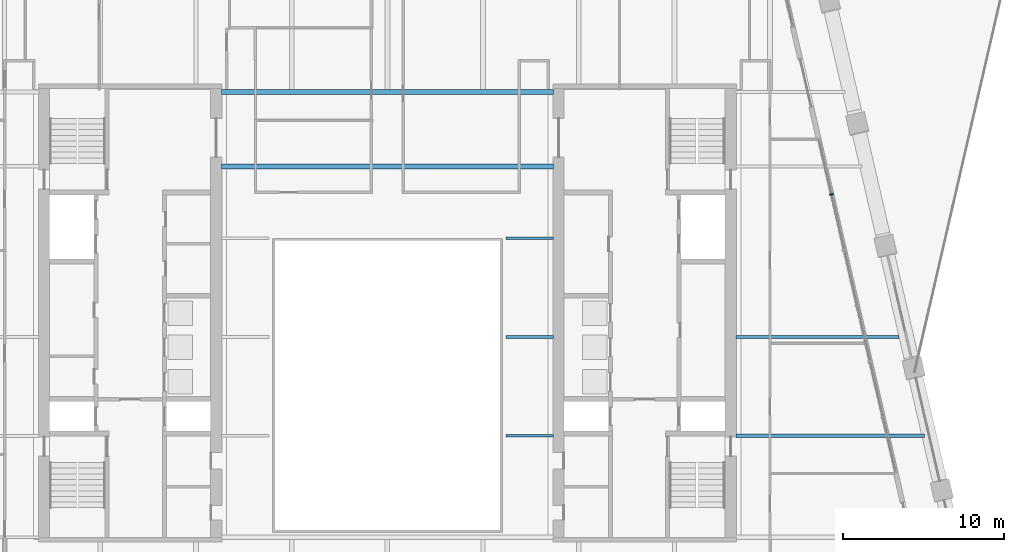
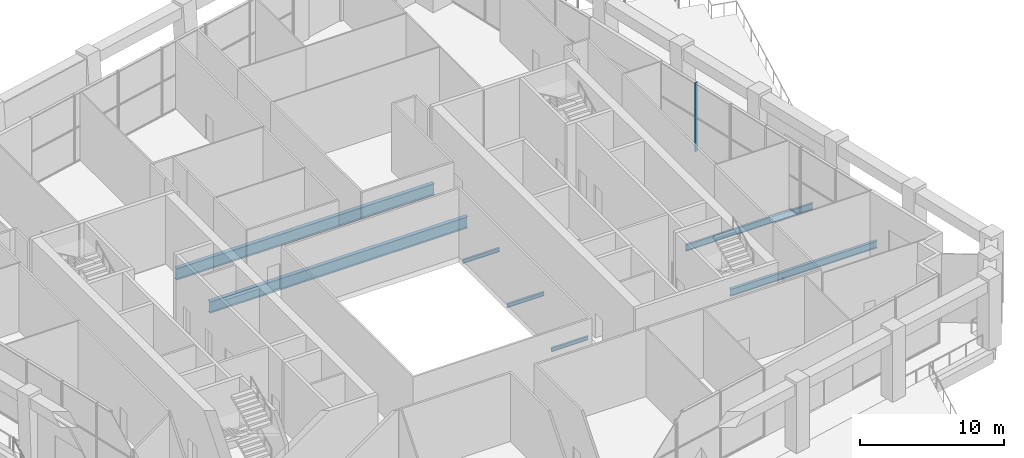
# One storey, part 5 of 24: 7 beams, 1 member, 1 element without a shape of its own.
"""IFC4 building model written with IfcOpenShell, lengths in metres."""

from ifc_helpers import new_model, si_unit, direction, frame, origin, origin_2d, place, context, subcontext, project, spatial, rectangle, i_section, extrude, material, material_profile, profile_set, type_object, element, aggregate, save


model = new_model("IFC4")

# Units and contexts
model_context = context("Model", 3, precision=1e-05, world=origin(), true_north=direction((0.0, 1.0)))
body_context = subcontext(model_context, "Body", "Model", "MODEL_VIEW")
ifc_project = project(units=[si_unit("LENGTHUNIT", "METRE"), si_unit("AREAUNIT", "SQUARE_METRE"), si_unit("VOLUMEUNIT", "CUBIC_METRE"), si_unit("PLANEANGLEUNIT", "RADIAN"), si_unit("MASSUNIT", "GRAM", prefix="KILO")], contexts=[model_context])

# Site, building, storey
site_placement = place(None, origin())
site = spatial("IfcSite", under=ifc_project, at=site_placement, CompositionType="ELEMENT")
building_placement = place(site_placement, origin())
building = spatial("IfcBuilding", under=site, at=building_placement, Name="Ogive Exchange Tower", CompositionType="ELEMENT")
storey_placement = place(building_placement, frame((0.0, 0.0, 165.60009765625)))
storey = spatial("IfcBuildingStorey", under=building, at=storey_placement, Name="L36", CompositionType="ELEMENT", Elevation=165.60009765625)

# Beams
ifc_material_1 = material(Name="Steel ASTM A992 Gr50", Category="steel")
ifc_material_profile_1 = material_profile(ifc_material_1, i_section(OverallWidth=0.300048828125, OverallDepth=0.97998046875, WebThickness=0.0166015625, FlangeThickness=0.026123046875, at=origin_2d()), Name="W1000x249")
ifc_profile_set_1 = profile_set([ifc_material_profile_1], Name="Steel ASTM A992 Gr50")
beam_type_1 = type_object("IfcBeamType", Name="Floor beam W1000x249", PredefinedType="JOIST", material=ifc_profile_set_1)
beam_1_placement = place(storey_placement, frame((-10.320068359375, 20.62255859375, -0.940185546875), z_axis=(1.0, 0.0, 0.0), x_axis=(0.0, 1.0, 0.0)))
element("IfcBeam", 1, at=beam_1_placement, inside=storey, type_object=beam_type_1, Name="Floor beam", PredefinedType="JOIST", context=body_context, shape_type="SweptSolid", body=[
    extrude(i_section(OverallWidth=0.300048828125, OverallDepth=0.97998046875, WebThickness=0.0166015625, FlangeThickness=0.026123046875, at=origin_2d()), origin(), (0.0, 0.0, 1.0), 20.64013671875),
])
ifc_material_profile_2 = material_profile(ifc_material_1, i_section(OverallWidth=0.1650390625, OverallDepth=0.31005859375, WebThickness=0.005859375, FlangeThickness=0.009765625, at=origin_2d()), Name="W310x38.7")
ifc_profile_set_2 = profile_set([ifc_material_profile_2], Name="Steel ASTM A992 Gr50")
beam_type_2 = type_object("IfcBeamType", Name="Floor beam W310x38.7", PredefinedType="JOIST", material=ifc_profile_set_2)
for number, where, z_axis, x_axis, name in (
    (2, (7.3701171875, 3.8583984375, -0.60498046875), (1.0, 0.0, 0.0), (0.0, 1.0, 0.0), "Floor beam"),
    (3, (7.3701171875, 10.006591796875, -0.60498046875), (1.0, 0.0, 0.0), (0.0, 1.0, 0.0), "Floor beam"),
):
    element("IfcBeam", number, at=place(storey_placement, frame(where, z_axis=z_axis, x_axis=x_axis)), inside=storey, type_object=beam_type_2, Name=name, PredefinedType="JOIST", context=body_context, shape_type="SweptSolid", body=[
        extrude(i_section(OverallWidth=0.1650390625, OverallDepth=0.31005859375, WebThickness=0.005859375, FlangeThickness=0.009765625, at=origin_2d()), origin(), (0.0, 0.0, 1.0), 2.949951171875),
    ])
ifc_material_profile_3 = material_profile(ifc_material_1, i_section(OverallWidth=0.1669921875, OverallDepth=0.535888671875, WebThickness=0.01025390625, FlangeThickness=0.0166015625, at=origin_2d()), Name="W530x85")
ifc_profile_set_3 = profile_set([ifc_material_profile_3], Name="Steel ASTM A992 Gr50")
beam_type_3 = type_object("IfcBeamType", Name="Floor beam W530x85", PredefinedType="JOIST", material=ifc_profile_set_3)
beam_2_placement = place(storey_placement, frame((21.679931640625, 10.006591796875, -0.718017578125), z_axis=(1.0, 0.0, 0.0), x_axis=(0.0, 1.0, 0.0)))
element("IfcBeam", 4, at=beam_2_placement, inside=storey, type_object=beam_type_3, Name="Floor beam", PredefinedType="JOIST", context=body_context, shape_type="SweptSolid", body=[
    extrude(i_section(OverallWidth=0.1669921875, OverallDepth=0.535888671875, WebThickness=0.01025390625, FlangeThickness=0.0166015625, at=origin_2d()), origin(), (0.0, 0.0, 1.0), 10.146728515625),
])
ifc_material_profile_4 = material_profile(ifc_material_1, i_section(OverallWidth=0.22802734375, OverallDepth=0.60205078125, WebThickness=0.010498046875, FlangeThickness=0.014892578125, at=origin_2d()), Name="W610x101")
ifc_profile_set_4 = profile_set([ifc_material_profile_4], Name="Steel ASTM A992 Gr50")
beam_type_4 = type_object("IfcBeamType", Name="Floor beam W610x101", PredefinedType="JOIST", material=ifc_profile_set_4)
beam_3_placement = place(storey_placement, frame((21.679931640625, 3.8583984375, -0.7509765625), z_axis=(1.0, 0.0, 0.0), x_axis=(0.0, 1.0, 0.0)))
element("IfcBeam", 5, at=beam_3_placement, inside=storey, type_object=beam_type_4, Name="Floor beam", PredefinedType="JOIST", context=body_context, shape_type="SweptSolid", body=[
    extrude(i_section(OverallWidth=0.22802734375, OverallDepth=0.60205078125, WebThickness=0.010498046875, FlangeThickness=0.014892578125, at=origin_2d()), origin(), (0.0, 0.0, 1.0), 11.716064453125),
])
ifc_material_profile_5 = material_profile(ifc_material_1, i_section(OverallWidth=0.300048828125, OverallDepth=0.97998046875, WebThickness=0.0166015625, FlangeThickness=0.026123046875, at=origin_2d()), Name="W1000x249")
ifc_profile_set_5 = profile_set([ifc_material_profile_5], Name="Steel ASTM A992 Gr50")
beam_type_5 = type_object("IfcBeamType", Name="Girder W1000x249", PredefinedType="BEAM", material=ifc_profile_set_5)
beam_4_placement = place(storey_placement, frame((-10.320068359375, 25.2451171875, -0.940185546875), z_axis=(1.0, 0.0, 0.0), x_axis=(0.0, 1.0, 0.0)))
element("IfcBeam", 6, at=beam_4_placement, inside=storey, type_object=beam_type_5, Name="Header girder", PredefinedType="BEAM", context=body_context, shape_type="SweptSolid", body=[
    extrude(i_section(OverallWidth=0.300048828125, OverallDepth=0.97998046875, WebThickness=0.0166015625, FlangeThickness=0.026123046875, at=origin_2d()), origin(), (0.0, 0.0, 1.0), 20.64013671875),
])
ifc_material_profile_6 = material_profile(ifc_material_1, i_section(OverallWidth=0.1650390625, OverallDepth=0.31005859375, WebThickness=0.005859375, FlangeThickness=0.009765625, at=origin_2d()), Name="W310x38.7")
ifc_profile_set_6 = profile_set([ifc_material_profile_6], Name="Steel ASTM A992 Gr50")
beam_type_6 = type_object("IfcBeamType", Name="Girder W310x38.7", PredefinedType="BEAM", material=ifc_profile_set_6)
beam_5_placement = place(storey_placement, frame((7.3701171875, 16.155029296875, -0.60498046875), z_axis=(1.0, 0.0, 0.0), x_axis=(0.0, 1.0, 0.0)))
element("IfcBeam", 7, at=beam_5_placement, inside=storey, type_object=beam_type_6, Name="Trimmer girder", PredefinedType="BEAM", context=body_context, shape_type="SweptSolid", body=[
    extrude(i_section(OverallWidth=0.1650390625, OverallDepth=0.31005859375, WebThickness=0.005859375, FlangeThickness=0.009765625, at=origin_2d()), origin(), (0.0, 0.0, 1.0), 2.949951171875),
])

# Curtain wall, member
ifc_material_2 = material(Name="Anodised aluminium and clear glass", Category="aluminium")
curtain_wall_type = type_object("IfcCurtainWallType", Name="Winter garden glazing", PredefinedType="NOTDEFINED", material=ifc_material_2)
curtain_wall_placement = place(storey_placement, origin())
curtain_wall = element("IfcCurtainWall", 8, at=curtain_wall_placement, inside=storey, type_object=curtain_wall_type, Name="Winter garden glazing run G10", PredefinedType="NOTDEFINED")
ifc_material_3 = material(Name="Anodised aluminium", Category="aluminium")
ifc_material_profile_7 = material_profile(ifc_material_3, rectangle(XDim=0.239990234375, YDim=0.080078125, at=origin_2d()), Name="AL 80x240")
ifc_profile_set_7 = profile_set([ifc_material_profile_7], Name="Anodised aluminium")
member_type = type_object("IfcMemberType", Name="Winter garden glazing mullion 80 x 240", PredefinedType="MULLION", material=ifc_profile_set_7)
member_placement = place(storey_placement, frame((27.623291015625, 18.87744140625, 0.0), z_axis=(0.0, 0.0, 1.0), x_axis=(-0.974368684938, -0.224957031035, 0.0)))
member = element("IfcMember", 9, at=member_placement, type_object=member_type, Name="G10 mullion 2", PredefinedType="MULLION", context=body_context, shape_type="SweptSolid", body=[
    extrude(rectangle(XDim=0.239990234375, YDim=0.080078125, at=origin_2d()), origin(), (0.0, 0.0, 1.0), 5.7998046875),
])
aggregate(curtain_wall, [member])

save(model, "model.ifc")
